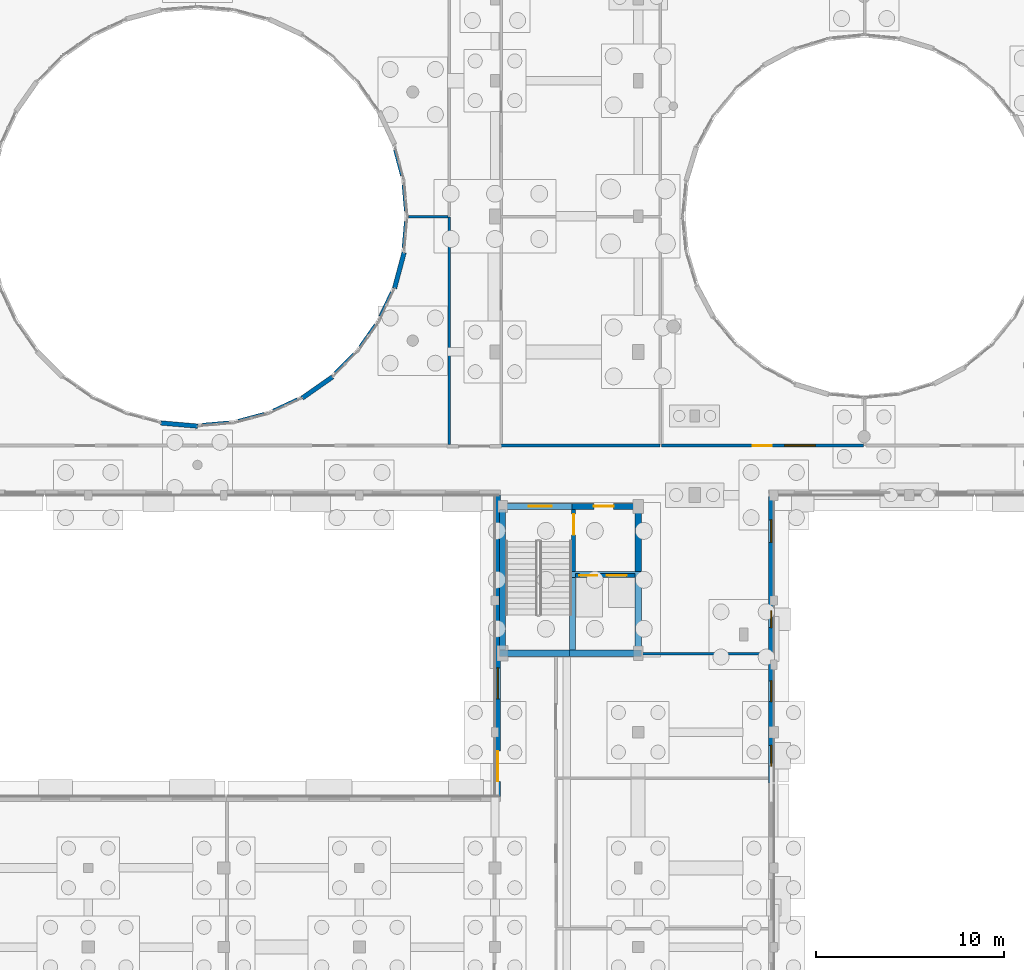
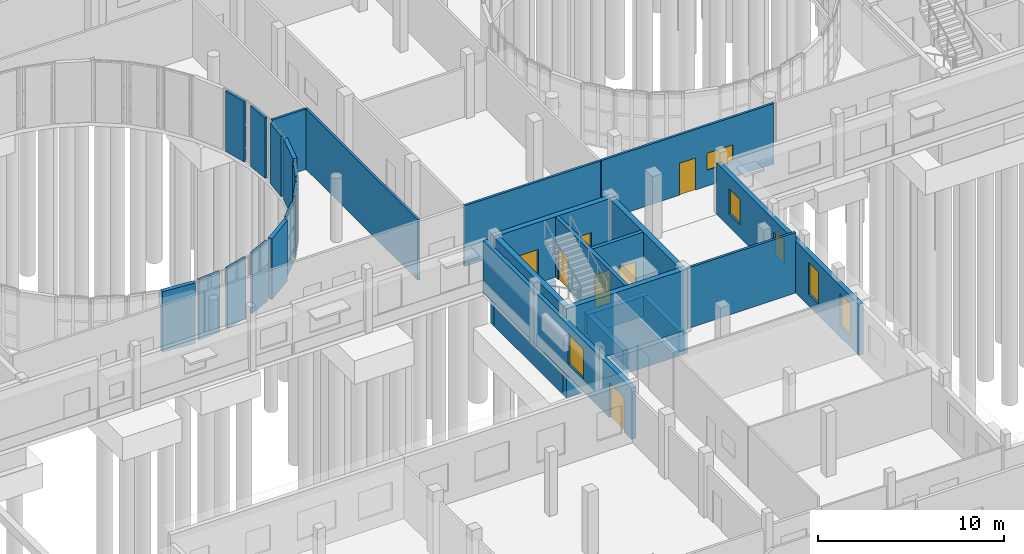
# One storey, part 67 of 93: 32 walls, 7 doors, 6 windows, 13 openings.
"""IFC4 building model written with IfcOpenShell, lengths in metres."""

from ifc_helpers import new_model, si_unit, direction, frame, frame_2d, origin, place, context, subcontext, project, spatial, rectangle, extrude, material, layer, layer_set, type_object, element, fill, save


model = new_model("IFC4")

# Units and contexts
model_context = context("Model", 3, precision=1e-05, world=origin(), true_north=direction((0.0, 1.0)))
body_context = subcontext(model_context, "Body", "Model", "MODEL_VIEW")
ifc_project = project(units=[si_unit("LENGTHUNIT", "METRE"), si_unit("AREAUNIT", "SQUARE_METRE"), si_unit("VOLUMEUNIT", "CUBIC_METRE"), si_unit("PLANEANGLEUNIT", "RADIAN"), si_unit("MASSUNIT", "GRAM", prefix="KILO")], contexts=[model_context])

# Site, building, storey
site_placement = place(None, origin())
site = spatial("IfcSite", under=ifc_project, at=site_placement, CompositionType="ELEMENT")
building_placement = place(site_placement, origin())
building = spatial("IfcBuilding", under=site, at=building_placement, Name="Kelanivale Promenade Academy", CompositionType="ELEMENT")
storey_placement = place(building_placement, origin())
storey = spatial("IfcBuildingStorey", under=building, at=storey_placement, Name="L00", CompositionType="ELEMENT", Elevation=0.0)

# Walls
ifc_material_1 = material(Name="Concrete C40/50", Category="concrete")
ifc_layer_1 = layer(ifc_material_1, 0.330078125)
ifc_layer_set_1 = layer_set([ifc_layer_1], Name="Concrete C40/50")
wall_type_1 = type_object("IfcWallType", Name="CW-S1 Wall 330mm", PredefinedType="SHEAR", material=ifc_layer_set_1)
for number, where, z_axis, x_axis, name in (
    (1, (83.155029296875, 33.60009765625, -1.550048828125), (0.0, 0.0, 1.0), (1.0, 0.0, 0.0), "CORE-1 lift pit wall"),
    (2, (83.155029296875, 37.7900390625, -1.550048828125), (0.0, 0.0, 1.0), (1.0, 0.0, 0.0), "CORE-1 lift pit wall"),
):
    element("IfcWall", number, at=place(storey_placement, frame(where, z_axis=z_axis, x_axis=x_axis)), inside=storey, type_object=wall_type_1, Name=name, PredefinedType="SHEAR", context=body_context, shape_type="SweptSolid", body=[
        extrude(rectangle(XDim=3.81005859375, YDim=0.330078125, at=frame_2d((1.905029296875, 0.0))), origin(), (0.0, 0.0, 1.0), 1.300048828125),
    ])
for number, where, z_axis, x_axis, name in (
    (3, (83.320068359375, 33.764892578125, -1.550048828125), (0.0, 0.0, 1.0), (0.0, 1.0, 0.0), "CORE-1 lift pit wall"),
    (4, (86.800048828125, 33.764892578125, -1.550048828125), (0.0, 0.0, 1.0), (0.0, 1.0, 0.0), "CORE-1 lift pit wall"),
):
    element("IfcWall", number, at=place(storey_placement, frame(where, z_axis=z_axis, x_axis=x_axis)), inside=storey, type_object=wall_type_1, Name=name, PredefinedType="SHEAR", context=body_context, shape_type="SweptSolid", body=[
        extrude(rectangle(XDim=3.860107421875, YDim=0.330078125, at=frame_2d((1.93017578125, 0.0))), origin(), (0.0, 0.0, 1.0), 1.300048828125),
    ])
wall_1_placement = place(storey_placement, frame((79.60009765625, 33.764892578125, -1.85009765625), z_axis=(0.0, 0.0, 1.0), x_axis=(0.0, 1.0, 0.0)))
element("IfcWall", 5, at=wall_1_placement, inside=storey, type_object=wall_type_1, Name="CORE-1 core raft starter wall", PredefinedType="SHEAR", context=body_context, shape_type="SweptSolid", body=[
    extrude(rectangle(XDim=7.47021484375, YDim=0.330078125, at=frame_2d((3.735107421875, 0.0))), origin(), (0.0, 0.0, 1.0), 1.60009765625),
])
for number, where, z_axis, x_axis, name in (
    (6, (79.43505859375, 33.60009765625, -1.85009765625), (0.0, 0.0, 1.0), (1.0, 0.0, 0.0), "CORE-1 core raft starter wall"),
    (7, (79.43505859375, 41.39990234375, -1.85009765625), (0.0, 0.0, 1.0), (1.0, 0.0, 0.0), "CORE-1 core raft starter wall"),
):
    element("IfcWall", number, at=place(storey_placement, frame(where, z_axis=z_axis, x_axis=x_axis)), inside=storey, type_object=wall_type_1, Name=name, PredefinedType="SHEAR", context=body_context, shape_type="SweptSolid", body=[
        extrude(rectangle(XDim=3.864990234375, YDim=0.330078125, at=frame_2d((1.9326171875, 0.0))), origin(), (0.0, 0.0, 1.0), 1.60009765625),
    ])
wall_2_placement = place(storey_placement, frame((79.43505859375, 33.60009765625, 0.0), z_axis=(0.0, 0.0, 1.0), x_axis=(1.0, 0.0, 0.0)))
element("IfcWall", 8, at=wall_2_placement, inside=storey, type_object=wall_type_1, Name="CORE-1 RC shear wall S L00", PredefinedType="SHEAR", context=body_context, shape_type="SweptSolid", body=[
    extrude(rectangle(XDim=7.530029296875, YDim=0.330078125, at=frame_2d((3.76513671875, 0.0))), origin(), (0.0, 0.0, 1.0), 3.97998046875),
])

# Wall, openings, doors
wall_3_placement = place(storey_placement, frame((79.43505859375, 41.39990234375, 0.0), z_axis=(0.0, 0.0, 1.0), x_axis=(1.0, 0.0, 0.0)))
wall_3 = element("IfcWall", 9, at=wall_3_placement, inside=storey, type_object=wall_type_1, Name="CORE-1 RC shear wall N L00", PredefinedType="SHEAR", context=body_context, shape_type="SweptSolid", body=[
    extrude(rectangle(XDim=7.530029296875, YDim=0.330078125, at=frame_2d((3.76513671875, 0.0))), origin(), (0.0, 0.0, 1.0), 3.97998046875),
])
opening_1_placement = place(wall_3_placement, frame((5.014892578125, 0.0, 0.0)))
opening_1 = element("IfcOpeningElement", 10, at=opening_1_placement, cuts=wall_3, Name="Opening FD-CORE-1-LB-L00", PredefinedType="OPENING", context=body_context, shape_type="SweptSolid", body=[
    extrude(rectangle(XDim=1.050048828125, YDim=2.14990234375, at=frame_2d((0.52490234375, 1.074951171875))), frame((0.0, 0.175048828125, 0.0), z_axis=(0.0, -1.0, 0.0), x_axis=(1.0, 0.0, 0.0)), (0.0, 0.0, 1.0), 0.35009765625),
])
opening_2_placement = place(wall_3_placement, frame((1.56494140625, 0.0, 0.0)))
opening_2 = element("IfcOpeningElement", 11, at=opening_2_placement, cuts=wall_3, Name="Opening FD-CORE-1-ST-L00", PredefinedType="OPENING", context=body_context, shape_type="SweptSolid", body=[
    extrude(rectangle(XDim=1.199951171875, YDim=2.199951171875, at=frame_2d((0.60009765625, 1.10009765625))), frame((0.0, 0.175048828125, 0.0), z_axis=(0.0, -1.0, 0.0), x_axis=(1.0, 0.0, 0.0)), (0.0, 0.0, 1.0), 0.35009765625),
])
ifc_material_2 = material(Name="Fire-rated steel-core teak veneer", Category="steel")
door_type_1 = type_object("IfcDoorType", Name="DT-F02 Door 1200x2200", OperationType="NOTDEFINED", PredefinedType="DOOR", material=ifc_material_2)
door_1_placement = place(opening_2_placement, origin())
door_1 = element("IfcDoor", 12, at=door_1_placement, inside=storey, type_object=door_type_1, Name="CORE-1 protected stair fire door L00", OperationType="SINGLE_SWING_LEFT", OverallHeight=2.199951171875, OverallWidth=1.199951171875, PredefinedType="DOOR", context=body_context, shape_type="SweptSolid", body=[
    extrude(rectangle(XDim=1.199951171875, YDim=2.199951171875, at=frame_2d((0.60009765625, 1.10009765625))), frame((0.0, 0.02490234375, 0.0), z_axis=(0.0, -1.0, 0.0), x_axis=(1.0, 0.0, 0.0)), (0.0, 0.0, 1.0), 0.050048828125),
])
fill(opening_2, door_1)
door_type_2 = type_object("IfcDoorType", Name="DT-F03 Door 1050x2150", OperationType="NOTDEFINED", PredefinedType="DOOR", material=ifc_material_2)
door_2_placement = place(opening_1_placement, origin())
door_2 = element("IfcDoor", 13, at=door_2_placement, inside=storey, type_object=door_type_2, Name="CORE-1 corridor-to-lobby fire door L00", OperationType="SINGLE_SWING_RIGHT", OverallHeight=2.14990234375, OverallWidth=1.050048828125, PredefinedType="DOOR", context=body_context, shape_type="SweptSolid", body=[
    extrude(rectangle(XDim=1.050048828125, YDim=2.14990234375, at=frame_2d((0.52490234375, 1.074951171875))), frame((0.0, 0.02490234375, 0.0), z_axis=(0.0, -1.0, 0.0), x_axis=(1.0, 0.0, 0.0)), (0.0, 0.0, 1.0), 0.050048828125),
])
fill(opening_1, door_2)

# Walls
for number, where, z_axis, x_axis, name in (
    (14, (79.60009765625, 33.764892578125, 0.0), (0.0, 0.0, 1.0), (0.0, 1.0, 0.0), "CORE-1 RC shear wall W L00"),
    (15, (86.800048828125, 33.764892578125, 0.0), (0.0, 0.0, 1.0), (0.0, 1.0, 0.0), "CORE-1 RC shear wall E L00"),
):
    element("IfcWall", number, at=place(storey_placement, frame(where, z_axis=z_axis, x_axis=x_axis)), inside=storey, type_object=wall_type_1, Name=name, PredefinedType="SHEAR", context=body_context, shape_type="SweptSolid", body=[
        extrude(rectangle(XDim=7.47021484375, YDim=0.330078125, at=frame_2d((3.735107421875, 0.0))), origin(), (0.0, 0.0, 1.0), 3.97998046875),
    ])

# Wall, openings, doors
ifc_layer_2 = layer(ifc_material_1, 0.22509765625)
ifc_layer_set_2 = layer_set([ifc_layer_2], Name="Concrete C40/50")
wall_type_2 = type_object("IfcWallType", Name="CW-S2 Wall 225mm", PredefinedType="SHEAR", material=ifc_layer_set_2)
wall_4_placement = place(storey_placement, frame((83.485107421875, 37.72998046875, 0.0), z_axis=(0.0, 0.0, 1.0), x_axis=(1.0, 0.0, 0.0)))
wall_4 = element("IfcWall", 16, at=wall_4_placement, inside=storey, type_object=wall_type_2, Name="CORE-1 lift shaft front RC wall L00", PredefinedType="SHEAR", context=body_context, shape_type="SweptSolid", body=[
    extrude(rectangle(XDim=3.14990234375, YDim=0.22509765625, at=frame_2d((1.574951171875, 0.0))), origin(), (0.0, 0.0, 1.0), 3.97998046875),
])
opening_3_placement = place(wall_4_placement, frame((0.199951171875, 0.0, 0.0)))
opening_3 = element("IfcOpeningElement", 17, at=opening_3_placement, cuts=wall_4, Name="Opening LD-LF-FF1-L00", PredefinedType="OPENING", context=body_context, shape_type="SweptSolid", body=[
    extrude(rectangle(XDim=0.949951171875, YDim=2.14990234375, at=frame_2d((0.47509765625, 1.074951171875))), frame((0.0, 0.12255859375, 0.0), z_axis=(0.0, -1.0, 0.0), x_axis=(1.0, 0.0, 0.0)), (0.0, 0.0, 1.0), 0.2451171875),
])
opening_4_placement = place(wall_4_placement, frame((1.64990234375, 0.0, 0.0)))
opening_4 = element("IfcOpeningElement", 18, at=opening_4_placement, cuts=wall_4, Name="Opening LD-LF-P1-L00", PredefinedType="OPENING", context=body_context, shape_type="SweptSolid", body=[
    extrude(rectangle(XDim=1.050048828125, YDim=2.199951171875, at=frame_2d((0.52490234375, 1.10009765625))), frame((0.0, 0.12255859375, 0.0), z_axis=(0.0, -1.0, 0.0), x_axis=(1.0, 0.0, 0.0)), (0.0, 0.0, 1.0), 0.2451171875),
])
door_type_3 = type_object("IfcDoorType", Name="LD-FF1 Door 950x2150", OperationType="NOTDEFINED", PredefinedType="DOOR", material=ifc_material_2)
door_3_placement = place(opening_3_placement, origin())
door_3 = element("IfcDoor", 19, at=door_3_placement, inside=storey, type_object=door_type_3, Name="Firefighting lift landing door LD-LF-FF1-L00", OperationType="SLIDING_TO_LEFT", OverallHeight=2.14990234375, OverallWidth=0.949951171875, PredefinedType="DOOR", context=body_context, shape_type="SweptSolid", body=[
    extrude(rectangle(XDim=0.949951171875, YDim=2.14990234375, at=frame_2d((0.47509765625, 1.074951171875))), frame((0.0, 0.02490234375, 0.0), z_axis=(0.0, -1.0, 0.0), x_axis=(1.0, 0.0, 0.0)), (0.0, 0.0, 1.0), 0.050048828125),
])
fill(opening_3, door_3)
door_type_4 = type_object("IfcDoorType", Name="LD-PL1 Door 1050x2200", OperationType="NOTDEFINED", PredefinedType="DOOR", material=ifc_material_2)
door_4_placement = place(opening_4_placement, origin())
door_4 = element("IfcDoor", 20, at=door_4_placement, inside=storey, type_object=door_type_4, Name="Passenger lift landing door LD-LF-P1-L00", OperationType="SLIDING_TO_RIGHT", OverallHeight=2.199951171875, OverallWidth=1.050048828125, PredefinedType="DOOR", context=body_context, shape_type="SweptSolid", body=[
    extrude(rectangle(XDim=1.050048828125, YDim=2.199951171875, at=frame_2d((0.52490234375, 1.10009765625))), frame((0.0, 0.02490234375, 0.0), z_axis=(0.0, -1.0, 0.0), x_axis=(1.0, 0.0, 0.0)), (0.0, 0.0, 1.0), 0.050048828125),
])
fill(opening_4, door_4)

# Wall, opening, door
ifc_layer_3 = layer(ifc_material_1, 0.219970703125)
ifc_layer_set_3 = layer_set([ifc_layer_3], Name="Concrete C40/50")
wall_type_3 = type_object("IfcWallType", Name="CW-S3 Wall 220mm", PredefinedType="SHEAR", material=ifc_layer_set_3)
wall_5_placement = place(storey_placement, frame((83.375, 33.764892578125, 0.0), z_axis=(0.0, 0.0, 1.0), x_axis=(0.0, 1.0, 0.0)))
wall_5 = element("IfcWall", 21, at=wall_5_placement, inside=storey, type_object=wall_type_3, Name="CORE-1 stair-lobby dividing RC wall L00", PredefinedType="SHEAR", context=body_context, shape_type="SweptSolid", body=[
    extrude(rectangle(XDim=7.47021484375, YDim=0.219970703125, at=frame_2d((3.735107421875, 0.0))), origin(), (0.0, 0.0, 1.0), 3.97998046875),
])
opening_5_placement = place(wall_5_placement, frame((6.1201171875, 0.0, 0.0)))
opening_5 = element("IfcOpeningElement", 22, at=opening_5_placement, cuts=wall_5, Name="Opening FD-CORE-1-SL-L00", PredefinedType="OPENING", context=body_context, shape_type="SweptSolid", body=[
    extrude(rectangle(XDim=1.10009765625, YDim=2.14990234375, at=frame_2d((0.550048828125, 1.074951171875))), frame((0.0, 0.1201171875, 0.0), z_axis=(0.0, -1.0, 0.0), x_axis=(1.0, 0.0, 0.0)), (0.0, 0.0, 1.0), 0.239990234375),
])
door_type_5 = type_object("IfcDoorType", Name="DT-F01 Door 1100x2150", OperationType="NOTDEFINED", PredefinedType="DOOR", material=ifc_material_2)
door_5_placement = place(opening_5_placement, origin())
door_5 = element("IfcDoor", 23, at=door_5_placement, inside=storey, type_object=door_type_5, Name="CORE-1 lobby-to-stair fire door L00", OperationType="SINGLE_SWING_LEFT", OverallHeight=2.14990234375, OverallWidth=1.10009765625, PredefinedType="DOOR", context=body_context, shape_type="SweptSolid", body=[
    extrude(rectangle(XDim=1.10009765625, YDim=2.14990234375, at=frame_2d((0.550048828125, 1.074951171875))), frame((0.0, 0.02490234375, 0.0), z_axis=(0.0, -1.0, 0.0), x_axis=(1.0, 0.0, 0.0)), (0.0, 0.0, 1.0), 0.050048828125),
])
fill(opening_5, door_5)

# Wall, openings, windows
ifc_material_3 = material(Name="Insulated ivory stucco masonry wall 280 mm", Category="masonry")
ifc_layer_4 = layer(ifc_material_3, 0.280029296875)
ifc_layer_set_4 = layer_set([ifc_layer_4], Name="Insulated ivory stucco masonry wall 280 mm")
wall_type_4 = type_object("IfcWallType", Name="EW-02 Wall 280mm", PredefinedType="SOLIDWALL", material=ifc_layer_set_4)
wall_6_placement = place(storey_placement, frame((93.860107421875, 26.699951171875, 0.0), z_axis=(0.0, 0.0, 1.0), x_axis=(0.0, 1.0, 0.0)))
wall_6 = element("IfcWall", 24, at=wall_6_placement, inside=storey, type_object=wall_type_4, Name="L00 exterior facade wall EW-L00-ORT-0288", PredefinedType="SOLIDWALL", context=body_context, shape_type="SweptSolid", body=[
    extrude(rectangle(XDim=15.300048828125, YDim=0.280029296875, at=frame_2d((7.64990234375, 0.0))), origin(), (0.0, 0.0, 1.0), 3.375),
])
opening_6_placement = place(wall_6_placement, frame((0.9130859375, 0.0, 0.75)))
opening_6 = element("IfcOpeningElement", 25, at=opening_6_placement, cuts=wall_6, Name="Opening WT-17", PredefinedType="OPENING", context=body_context, shape_type="SweptSolid", body=[
    extrude(rectangle(XDim=1.10009765625, YDim=2.10009765625, at=frame_2d((0.550048828125, 1.050048828125))), frame((0.0, 0.14990234375, 0.0), z_axis=(0.0, -1.0, 0.0), x_axis=(1.0, 0.0, 0.0)), (0.0, 0.0, 1.0), 0.300048828125),
])
opening_7_placement = place(wall_6_placement, frame((4.337890625, 0.0, 0.75)))
opening_7 = element("IfcOpeningElement", 26, at=opening_7_placement, cuts=wall_6, Name="Opening WT-17", PredefinedType="OPENING", context=body_context, shape_type="SweptSolid", body=[
    extrude(rectangle(XDim=1.10009765625, YDim=2.10009765625, at=frame_2d((0.550048828125, 1.050048828125))), frame((0.0, 0.14990234375, 0.0), z_axis=(0.0, -1.0, 0.0), x_axis=(1.0, 0.0, 0.0)), (0.0, 0.0, 1.0), 0.300048828125),
])
opening_8_placement = place(wall_6_placement, frame((8.262939453125, 0.0, 1.050048828125)))
opening_8 = element("IfcOpeningElement", 27, at=opening_8_placement, cuts=wall_6, Name="Opening WT-06", PredefinedType="OPENING", context=body_context, shape_type="SweptSolid", body=[
    extrude(rectangle(XDim=0.89990234375, YDim=1.5, at=frame_2d((0.449951171875, 0.75))), frame((0.0, 0.14990234375, 0.0), z_axis=(0.0, -1.0, 0.0), x_axis=(1.0, 0.0, 0.0)), (0.0, 0.0, 1.0), 0.300048828125),
])
opening_9_placement = place(wall_6_placement, frame((12.7880859375, 0.0, 0.85009765625)))
opening_9 = element("IfcOpeningElement", 28, at=opening_9_placement, cuts=wall_6, Name="Opening WT-05", PredefinedType="OPENING", context=body_context, shape_type="SweptSolid", body=[
    extrude(rectangle(XDim=1.199951171875, YDim=1.64990234375, at=frame_2d((0.60009765625, 0.824951171875))), frame((0.0, 0.14990234375, 0.0), z_axis=(0.0, -1.0, 0.0), x_axis=(1.0, 0.0, 0.0)), (0.0, 0.0, 1.0), 0.300048828125),
])
ifc_material_4 = material(Name="Bronze anodised aluminium frame with low-E laminated glass", Category="aluminium")
window_type_1 = type_object("IfcWindowType", Name="WT-05 Window 1200x1650", PartitioningType="SINGLE_PANEL", PredefinedType="WINDOW", material=ifc_material_4)
window_1_placement = place(opening_9_placement, origin())
window_1 = element("IfcWindow", 29, at=window_1_placement, inside=storey, type_object=window_type_1, Name="Window WT-05", OverallHeight=1.64990234375, OverallWidth=1.199951171875, PartitioningType="SINGLE_PANEL", PredefinedType="WINDOW", context=body_context, shape_type="SweptSolid", body=[
    extrude(rectangle(XDim=1.199951171875, YDim=1.64990234375, at=frame_2d((0.60009765625, 0.824951171875))), frame((0.0, 0.030029296875, 0.0), z_axis=(0.0, -1.0, 0.0), x_axis=(1.0, 0.0, 0.0)), (0.0, 0.0, 1.0), 0.06005859375),
])
fill(opening_9, window_1)
window_type_2 = type_object("IfcWindowType", Name="WT-06 Window 900x1500", PartitioningType="SINGLE_PANEL", PredefinedType="WINDOW", material=ifc_material_4)
window_2_placement = place(opening_8_placement, origin())
window_2 = element("IfcWindow", 30, at=window_2_placement, inside=storey, type_object=window_type_2, Name="Window WT-06", OverallHeight=1.5, OverallWidth=0.89990234375, PartitioningType="SINGLE_PANEL", PredefinedType="WINDOW", context=body_context, shape_type="SweptSolid", body=[
    extrude(rectangle(XDim=0.89990234375, YDim=1.5, at=frame_2d((0.449951171875, 0.75))), frame((0.0, 0.030029296875, 0.0), z_axis=(0.0, -1.0, 0.0), x_axis=(1.0, 0.0, 0.0)), (0.0, 0.0, 1.0), 0.06005859375),
])
fill(opening_8, window_2)
window_type_3 = type_object("IfcWindowType", Name="WT-17 Window 1100x2100", PartitioningType="SINGLE_PANEL", PredefinedType="WINDOW", material=ifc_material_4)
window_3_placement = place(opening_6_placement, origin())
window_3 = element("IfcWindow", 31, at=window_3_placement, inside=storey, type_object=window_type_3, Name="Window WT-17", OverallHeight=2.10009765625, OverallWidth=1.10009765625, PartitioningType="SINGLE_PANEL", PredefinedType="WINDOW", context=body_context, shape_type="SweptSolid", body=[
    extrude(rectangle(XDim=1.10009765625, YDim=2.10009765625, at=frame_2d((0.550048828125, 1.050048828125))), frame((0.0, 0.030029296875, 0.0), z_axis=(0.0, -1.0, 0.0), x_axis=(1.0, 0.0, 0.0)), (0.0, 0.0, 1.0), 0.06005859375),
])
fill(opening_6, window_3)
window_4_placement = place(opening_7_placement, origin())
window_4 = element("IfcWindow", 32, at=window_4_placement, inside=storey, type_object=window_type_3, Name="Window WT-17", OverallHeight=2.10009765625, OverallWidth=1.10009765625, PartitioningType="SINGLE_PANEL", PredefinedType="WINDOW", context=body_context, shape_type="SweptSolid", body=[
    extrude(rectangle(XDim=1.10009765625, YDim=2.10009765625, at=frame_2d((0.550048828125, 1.050048828125))), frame((0.0, 0.030029296875, 0.0), z_axis=(0.0, -1.0, 0.0), x_axis=(1.0, 0.0, 0.0)), (0.0, 0.0, 1.0), 0.06005859375),
])
fill(opening_7, window_4)

# Wall, openings, door, window
wall_7_placement = place(storey_placement, frame((79.340087890625, 42.0, 0.0), z_axis=(0.0, 0.0, 1.0), x_axis=(0.0, -1.0, 0.0)))
wall_7 = element("IfcWall", 33, at=wall_7_placement, inside=storey, type_object=wall_type_4, Name="L00 exterior facade wall EW-L00-ORT-0322", PredefinedType="SOLIDWALL", context=body_context, shape_type="SweptSolid", body=[
    extrude(rectangle(XDim=16.0, YDim=0.280029296875, at=frame_2d((8.0, 0.0))), origin(), (0.0, 0.0, 1.0), 3.375),
])
opening_10_placement = place(wall_7_placement, frame((13.60009765625, 0.0, 0.0)))
opening_10 = element("IfcOpeningElement", 34, at=opening_10_placement, cuts=wall_7, Name="Opening ED-02", PredefinedType="OPENING", context=body_context, shape_type="SweptSolid", body=[
    extrude(rectangle(XDim=1.60009765625, YDim=2.300048828125, at=frame_2d((0.800048828125, 1.14990234375))), frame((0.0, 0.14990234375, 0.0), z_axis=(0.0, -1.0, 0.0), x_axis=(1.0, 0.0, 0.0)), (0.0, 0.0, 1.0), 0.300048828125),
])
opening_11_placement = place(wall_7_placement, frame((9.175048828125, 0.0, 0.85009765625)))
opening_11 = element("IfcOpeningElement", 35, at=opening_11_placement, cuts=wall_7, Name="Opening WT-16", PredefinedType="OPENING", context=body_context, shape_type="SweptSolid", body=[
    extrude(rectangle(XDim=1.64990234375, YDim=1.949951171875, at=frame_2d((0.824951171875, 0.97509765625))), frame((0.0, 0.14990234375, 0.0), z_axis=(0.0, -1.0, 0.0), x_axis=(1.0, 0.0, 0.0)), (0.0, 0.0, 1.0), 0.300048828125),
])
ifc_material_5 = material(Name="Bronze anodised aluminium and laminated glass", Category="aluminium")
door_type_6 = type_object("IfcDoorType", Name="DT-X02 Door 1600x2300", OperationType="NOTDEFINED", PredefinedType="DOOR", material=ifc_material_5)
door_6_placement = place(opening_10_placement, frame((1.60009765625, 0.0, 0.0), z_axis=(0.0, 0.0, 1.0), x_axis=(-1.0, 0.0, 0.0)))
door_6 = element("IfcDoor", 36, at=door_6_placement, inside=storey, type_object=door_type_6, Name="South spine exit discharge door ED-02", OperationType="DOUBLE_DOOR_SINGLE_SWING", OverallHeight=2.300048828125, OverallWidth=1.60009765625, PredefinedType="DOOR", context=body_context, shape_type="SweptSolid", body=[
    extrude(rectangle(XDim=1.60009765625, YDim=2.300048828125, at=frame_2d((0.800048828125, 1.14990234375))), frame((0.0, 0.02490234375, 0.0), z_axis=(0.0, -1.0, 0.0), x_axis=(1.0, 0.0, 0.0)), (0.0, 0.0, 1.0), 0.050048828125),
])
fill(opening_10, door_6)
window_type_4 = type_object("IfcWindowType", Name="WT-16 Window 1650x1950", PartitioningType="SINGLE_PANEL", PredefinedType="WINDOW", material=ifc_material_4)
window_5_placement = place(opening_11_placement, origin())
window_5 = element("IfcWindow", 37, at=window_5_placement, inside=storey, type_object=window_type_4, Name="Window WT-16", OverallHeight=1.949951171875, OverallWidth=1.64990234375, PartitioningType="SINGLE_PANEL", PredefinedType="WINDOW", context=body_context, shape_type="SweptSolid", body=[
    extrude(rectangle(XDim=1.64990234375, YDim=1.949951171875, at=frame_2d((0.824951171875, 0.97509765625))), frame((0.0, 0.030029296875, 0.0), z_axis=(0.0, -1.0, 0.0), x_axis=(1.0, 0.0, 0.0)), (0.0, 0.0, 1.0), 0.06005859375),
])
fill(opening_11, window_5)

# Walls
ifc_material_6 = material(Name="Insulated courtyard stucco masonry wall 240 mm", Category="masonry")
ifc_layer_5 = layer(ifc_material_6, 0.239990234375)
ifc_layer_set_5 = layer_set([ifc_layer_5], Name="Insulated courtyard stucco masonry wall 240 mm")
wall_type_5 = type_object("IfcWallType", Name="EW-04 Wall 240mm", PredefinedType="SOLIDWALL", material=ifc_layer_set_5)
wall_8_placement = place(storey_placement, frame((61.452880859375, 45.830078125, 0.0), z_axis=(0.0, 0.0, 1.0), x_axis=(0.996210264846, -0.086977630546, 0.0)))
element("IfcWall", 38, at=wall_8_placement, inside=storey, type_object=wall_type_5, Name="L00 round courtyard stucco wall", PredefinedType="SOLIDWALL", context=body_context, shape_type="SweptSolid", body=[
    extrude(rectangle(XDim=1.9677734375, YDim=0.239990234375, at=frame_2d((0.98388671875, 0.0))), origin(), (0.0, 0.0, 1.0), 3.97998046875),
])
wall_9_placement = place(storey_placement, frame((68.9599609375, 47.14501953125, 0.0), z_axis=(0.0, 0.0, 1.0), x_axis=(0.819191094316, 0.573520663092, 0.0)))
element("IfcWall", 39, at=wall_9_placement, inside=storey, type_object=wall_type_5, Name="L00 round courtyard stucco wall", PredefinedType="SOLIDWALL", context=body_context, shape_type="SweptSolid", body=[
    extrude(rectangle(XDim=1.966796875, YDim=0.239990234375, at=frame_2d((0.9833984375, 0.0))), origin(), (0.0, 0.0, 1.0), 3.97998046875),
])
wall_10_placement = place(storey_placement, frame((73.865966796875, 52.97802734375, 0.0), z_axis=(0.0, 0.0, 1.0), x_axis=(0.258334797167, 0.966055450051, 0.0)))
element("IfcWall", 40, at=wall_10_placement, inside=storey, type_object=wall_type_5, Name="L00 round courtyard stucco wall", PredefinedType="SOLIDWALL", context=body_context, shape_type="SweptSolid", body=[
    extrude(rectangle(XDim=1.966552734375, YDim=0.239990234375, at=frame_2d((0.9833984375, 0.0))), origin(), (0.0, 0.0, 1.0), 3.97998046875),
])
ifc_material_7 = material(Name="Acoustic gypsum-lined masonry partition 150 mm", Category="masonry")
ifc_layer_6 = layer(ifc_material_7, 0.14990234375)
ifc_layer_set_6 = layer_set([ifc_layer_6], Name="Acoustic gypsum-lined masonry partition 150 mm")
wall_type_6 = type_object("IfcWallType", Name="IW-03 Wall 150mm", PredefinedType="PARTITIONING", material=ifc_layer_set_6)
wall_11_placement = place(storey_placement, frame((93.721923828125, 33.570068359375, 0.0), z_axis=(0.0, 0.0, 1.0), x_axis=(-1.0, 0.0, 0.0)))
element("IfcWall", 41, at=wall_11_placement, inside=storey, type_object=wall_type_6, Name="L00 partition Central Electrical Plant Room", PredefinedType="PARTITIONING", context=body_context, shape_type="SweptSolid", body=[
    extrude(rectangle(XDim=6.847900390625, YDim=0.14990234375, at=frame_2d((3.423828125, 0.0))), origin(), (0.0, 0.0, 1.0), 3.97509765625),
])
ifc_material_8 = material(Name="Acoustic double-stud gypsum board partition 140 mm", Category="masonry")
ifc_layer_7 = layer(ifc_material_8, 0.139892578125)
ifc_layer_set_7 = layer_set([ifc_layer_7], Name="Acoustic double-stud gypsum board partition 140 mm")
wall_type_7 = type_object("IfcWallType", Name="IW-04 Wall 140mm", PredefinedType="PARTITIONING", material=ifc_layer_set_7)
wall_12_placement = place(storey_placement, frame((79.530029296875, 44.6298828125, 0.0), z_axis=(0.0, 0.0, 1.0), x_axis=(1.0, 0.0, 0.0)))
element("IfcWall", 42, at=wall_12_placement, inside=storey, type_object=wall_type_7, Name="L00 partition Hygiene Therapy Room", PredefinedType="PARTITIONING", context=body_context, shape_type="SweptSolid", body=[
    extrude(rectangle(XDim=8.43994140625, YDim=0.139892578125, at=frame_2d((4.219970703125, 0.0))), origin(), (0.0, 0.0, 1.0), 3.97509765625),
])
wall_13_placement = place(storey_placement, frame((76.77001953125, 44.68798828125, 0.0), z_axis=(0.0, 0.0, 1.0), x_axis=(0.0, 1.0, 0.0)))
element("IfcWall", 43, at=wall_13_placement, inside=storey, type_object=wall_type_7, Name="L00 partition Humanities Seminar Courtyard South", PredefinedType="PARTITIONING", context=body_context, shape_type="SweptSolid", body=[
    extrude(rectangle(XDim=12.08203125, YDim=0.139892578125, at=frame_2d((6.041015625, 0.0))), origin(), (0.0, 0.0, 1.0), 3.97509765625),
])
wall_14_placement = place(storey_placement, frame((76.701904296875, 56.77001953125, 0.0), z_axis=(0.0, 0.0, 1.0), x_axis=(-1.0, 0.0, 0.0)))
element("IfcWall", 44, at=wall_14_placement, inside=storey, type_object=wall_type_7, Name="L00 partition Humanities Seminar Courtyard South", PredefinedType="PARTITIONING", context=body_context, shape_type="SweptSolid", body=[
    extrude(rectangle(XDim=2.0859375, YDim=0.139892578125, at=frame_2d((1.04296875, 0.0))), origin(), (0.0, 0.0, 1.0), 3.97509765625),
])
wall_15_placement = place(storey_placement, frame((74.446044921875, 56.52294921875, 0.0), z_axis=(0.0, 0.0, 1.0), x_axis=(-0.086916960031, -0.996215560037, 0.0)))
element("IfcWall", 45, at=wall_15_placement, inside=storey, type_object=wall_type_7, Name="L00 partition Humanities Seminar Courtyard South", PredefinedType="PARTITIONING", context=body_context, shape_type="SweptSolid", body=[
    extrude(rectangle(XDim=1.393310546875, YDim=0.139892578125, at=frame_2d((0.69677734375, 0.0))), origin(), (0.0, 0.0, 1.0), 3.97509765625),
])
wall_16_placement = place(storey_placement, frame((73.694091796875, 52.779052734375, 0.0), z_axis=(0.0, 0.0, 1.0), x_axis=(-0.423348930736, -0.905966711775, 0.0)))
element("IfcWall", 46, at=wall_16_placement, inside=storey, type_object=wall_type_7, Name="L00 partition Humanities Seminar Courtyard South", PredefinedType="PARTITIONING", context=body_context, shape_type="SweptSolid", body=[
    extrude(rectangle(XDim=1.412841796875, YDim=0.139892578125, at=frame_2d((0.70654296875, 0.0))), origin(), (0.0, 0.0, 1.0), 3.97509765625),
])
wall_17_placement = place(storey_placement, frame((72.839111328125, 51.052978515625, 0.0), z_axis=(0.0, 0.0, 1.0), x_axis=(-0.57368253481, -0.819077743108, 0.0)))
element("IfcWall", 47, at=wall_17_placement, inside=storey, type_object=wall_type_7, Name="L00 partition Humanities Seminar Courtyard South", PredefinedType="PARTITIONING", context=body_context, shape_type="SweptSolid", body=[
    extrude(rectangle(XDim=1.413818359375, YDim=0.139892578125, at=frame_2d((0.70703125, 0.0))), origin(), (0.0, 0.0, 1.0), 3.97509765625),
])
wall_18_placement = place(storey_placement, frame((71.697021484375, 49.5009765625, 0.0), z_axis=(0.0, 0.0, 1.0), x_axis=(-0.707106781187, -0.707106781187, 0.0)))
element("IfcWall", 48, at=wall_18_placement, inside=storey, type_object=wall_type_7, Name="L00 partition Humanities Seminar Courtyard South", PredefinedType="PARTITIONING", context=body_context, shape_type="SweptSolid", body=[
    extrude(rectangle(XDim=1.411376953125, YDim=0.139892578125, at=frame_2d((0.70556640625, 0.0))), origin(), (0.0, 0.0, 1.0), 3.97509765625),
])
wall_19_placement = place(storey_placement, frame((68.700927734375, 47.10400390625, 0.0), z_axis=(0.0, 0.0, 1.0), x_axis=(-0.906032979506, -0.423207088844, 0.0)))
element("IfcWall", 49, at=wall_19_placement, inside=storey, type_object=wall_type_7, Name="L00 partition Humanities Seminar Courtyard South", PredefinedType="PARTITIONING", context=body_context, shape_type="SweptSolid", body=[
    extrude(rectangle(XDim=1.412841796875, YDim=0.139892578125, at=frame_2d((0.70654296875, 0.0))), origin(), (0.0, 0.0, 1.0), 3.97509765625),
])
wall_20_placement = place(storey_placement, frame((66.93603515625, 46.330078125, 0.0), z_axis=(0.0, 0.0, 1.0), x_axis=(-0.966013611766, -0.258491202719, 0.0)))
element("IfcWall", 50, at=wall_20_placement, inside=storey, type_object=wall_type_7, Name="L00 partition Humanities Seminar Courtyard South", PredefinedType="PARTITIONING", context=body_context, shape_type="SweptSolid", body=[
    extrude(rectangle(XDim=1.412109375, YDim=0.139892578125, at=frame_2d((0.7060546875, 0.0))), origin(), (0.0, 0.0, 1.0), 3.97509765625),
])
wall_21_placement = place(storey_placement, frame((65.06494140625, 45.875, 0.0), z_axis=(0.0, 0.0, 1.0), x_axis=(-0.996215560037, -0.086916960031, 0.0)))
element("IfcWall", 51, at=wall_21_placement, inside=storey, type_object=wall_type_7, Name="L00 partition Humanities Seminar Courtyard South", PredefinedType="PARTITIONING", context=body_context, shape_type="SweptSolid", body=[
    extrude(rectangle(XDim=1.393310546875, YDim=0.139892578125, at=frame_2d((0.69677734375, 0.0))), origin(), (0.0, 0.0, 1.0), 3.97509765625),
])
wall_22_placement = place(storey_placement, frame((73.8701171875, 60.3359375, 0.0), z_axis=(0.0, 0.0, 1.0), x_axis=(0.258491202719, -0.966013611766, 0.0)))
element("IfcWall", 52, at=wall_22_placement, inside=storey, type_object=wall_type_7, Name="L00 partition Hygiene Therapy Room Courtyard North", PredefinedType="PARTITIONING", context=body_context, shape_type="SweptSolid", body=[
    extrude(rectangle(XDim=1.412109375, YDim=0.139892578125, at=frame_2d((0.7060546875, 0.0))), origin(), (0.0, 0.0, 1.0), 3.97509765625),
])
wall_23_placement = place(storey_placement, frame((74.324951171875, 58.465087890625, 0.0), z_axis=(0.0, 0.0, 1.0), x_axis=(0.086901789347, -0.996216883519, 0.0)))
element("IfcWall", 53, at=wall_23_placement, inside=storey, type_object=wall_type_7, Name="L00 partition Hygiene Therapy Room Courtyard North", PredefinedType="PARTITIONING", context=body_context, shape_type="SweptSolid", body=[
    extrude(rectangle(XDim=1.3935546875, YDim=0.139892578125, at=frame_2d((0.69677734375, 0.0))), origin(), (0.0, 0.0, 1.0), 3.97509765625),
])

# Wall, openings, door, window
wall_24_placement = place(storey_placement, frame((88.030029296875, 44.6298828125, 0.0), z_axis=(0.0, 0.0, 1.0), x_axis=(1.0, 0.0, 0.0)))
wall_24 = element("IfcWall", 54, at=wall_24_placement, inside=storey, type_object=wall_type_7, Name="L00 partition Junior Classroom Courtyard East-South", PredefinedType="PARTITIONING", context=body_context, shape_type="SweptSolid", body=[
    extrude(rectangle(XDim=10.73193359375, YDim=0.139892578125, at=frame_2d((5.365966796875, 0.0))), origin(), (0.0, 0.0, 1.0), 3.97509765625),
])
opening_12_placement = place(wall_24_placement, frame((4.865966796875, 0.0, 0.0)))
opening_12 = element("IfcOpeningElement", 55, at=opening_12_placement, cuts=wall_24, Name="Opening ID-L00-041", PredefinedType="OPENING", context=body_context, shape_type="SweptSolid", body=[
    extrude(rectangle(XDim=1.0, YDim=2.10009765625, at=frame_2d((0.5, 1.050048828125))), frame((0.0, 0.080078125, 0.0), z_axis=(0.0, -1.0, 0.0), x_axis=(1.0, 0.0, 0.0)), (0.0, 0.0, 1.0), 0.159912109375),
])
opening_13_placement = place(wall_24_placement, frame((6.56591796875, 0.0, 1.050048828125)))
opening_13 = element("IfcOpeningElement", 56, at=opening_13_placement, cuts=wall_24, Name="Opening WT-I01", PredefinedType="OPENING", context=body_context, shape_type="SweptSolid", body=[
    extrude(rectangle(XDim=1.60009765625, YDim=1.10009765625, at=frame_2d((0.800048828125, 0.550048828125))), frame((0.0, 0.080078125, 0.0), z_axis=(0.0, -1.0, 0.0), x_axis=(1.0, 0.0, 0.0)), (0.0, 0.0, 1.0), 0.159912109375),
])
ifc_material_9 = material(Name="Solid-core tropical teak timber", Category="wood")
door_type_7 = type_object("IfcDoorType", Name="DT-I01 Door 1000x2100", OperationType="NOTDEFINED", PredefinedType="DOOR", material=ifc_material_9)
door_7_placement = place(opening_12_placement, origin())
door_7 = element("IfcDoor", 57, at=door_7_placement, inside=storey, type_object=door_type_7, Name="Junior Classroom Courtyard East-South door ID-L00-041", OperationType="SINGLE_SWING_RIGHT", OverallHeight=2.10009765625, OverallWidth=1.0, PredefinedType="DOOR", context=body_context, shape_type="SweptSolid", body=[
    extrude(rectangle(XDim=1.0, YDim=2.10009765625, at=frame_2d((0.5, 1.050048828125))), frame((0.0, 0.02490234375, 0.0), z_axis=(0.0, -1.0, 0.0), x_axis=(1.0, 0.0, 0.0)), (0.0, 0.0, 1.0), 0.050048828125),
])
fill(opening_12, door_7)
window_type_5 = type_object("IfcWindowType", Name="WT-I01 Window 1600x1100", PartitioningType="SINGLE_PANEL", PredefinedType="WINDOW", material=ifc_material_4)
window_6_placement = place(opening_13_placement, origin())
window_6 = element("IfcWindow", 58, at=window_6_placement, inside=storey, type_object=window_type_5, Name="Interior observation window WT-I01", OverallHeight=1.10009765625, OverallWidth=1.60009765625, PartitioningType="SINGLE_PANEL", PredefinedType="WINDOW", context=body_context, shape_type="SweptSolid", body=[
    extrude(rectangle(XDim=1.60009765625, YDim=1.10009765625, at=frame_2d((0.800048828125, 0.550048828125))), frame((0.0, 0.030029296875, 0.0), z_axis=(0.0, -1.0, 0.0), x_axis=(1.0, 0.0, 0.0)), (0.0, 0.0, 1.0), 0.06005859375),
])
fill(opening_13, window_6)

save(model, "model.ifc")
